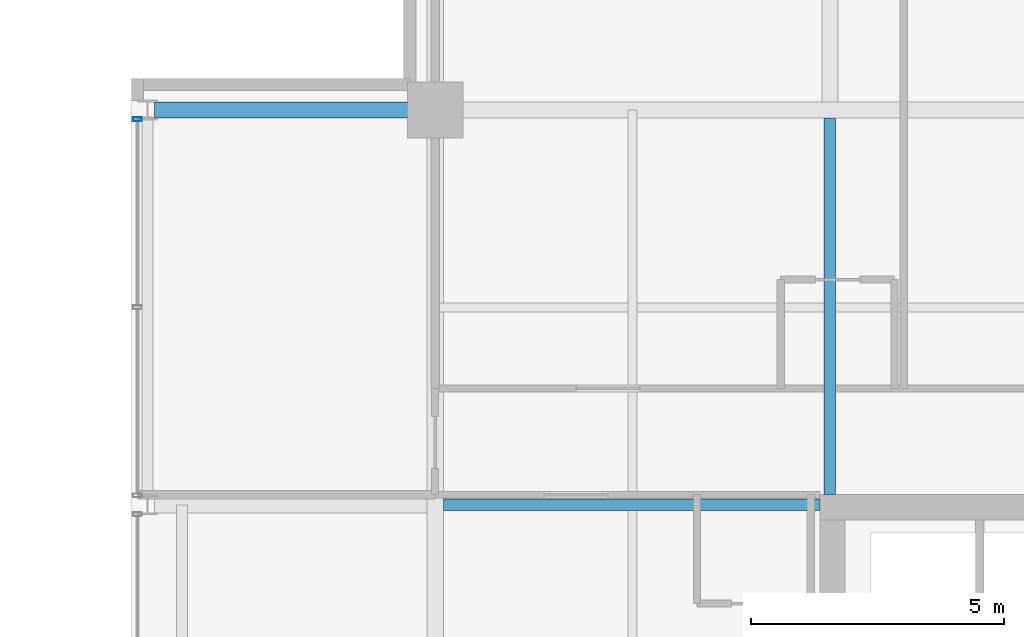
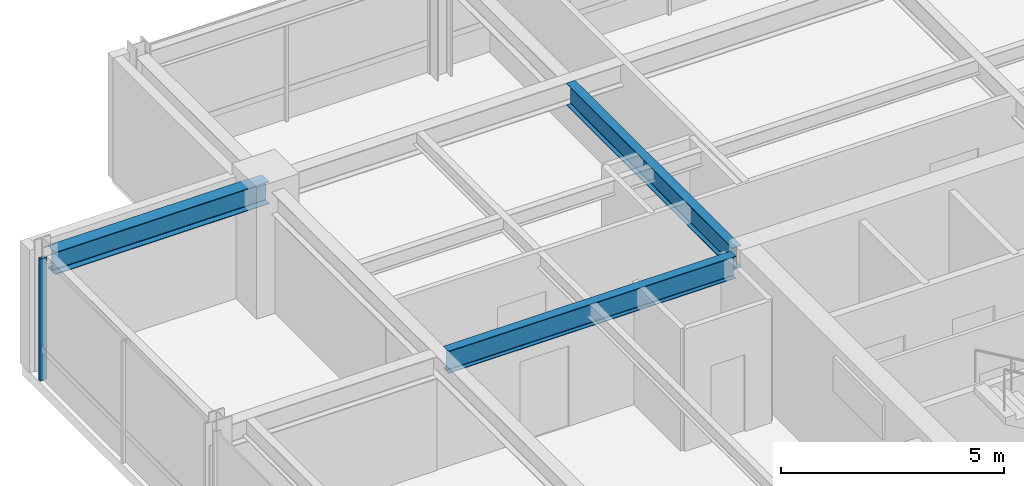
# One storey, part 18 of 31: 3 beams, 1 member, 1 element without a shape of its own.
"""IFC4 building model written with IfcOpenShell, lengths in metres."""

from ifc_helpers import new_model, si_unit, direction, frame, origin, origin_2d, place, context, subcontext, project, spatial, hollow_rectangle, i_section, extrude, material, layer, layer_set, material_profile, profile_set, type_object, element, aggregate, save


model = new_model("IFC4")

# Units and contexts
model_context = context("Model", 3, precision=1e-05, world=origin(), true_north=direction((0.0, 1.0)))
body_context = subcontext(model_context, "Body", "Model", "MODEL_VIEW")
ifc_project = project(units=[si_unit("LENGTHUNIT", "METRE"), si_unit("AREAUNIT", "SQUARE_METRE"), si_unit("VOLUMEUNIT", "CUBIC_METRE"), si_unit("PLANEANGLEUNIT", "RADIAN"), si_unit("MASSUNIT", "GRAM", prefix="KILO")], contexts=[model_context])

# Site, building, storey
site_placement = place(None, origin())
site = spatial("IfcSite", under=ifc_project, at=site_placement, CompositionType="ELEMENT")
building_placement = place(site_placement, origin())
building = spatial("IfcBuilding", under=site, at=building_placement, Name="Drelvath Grand Hotel", CompositionType="ELEMENT")
storey_placement = place(building_placement, frame((0.0, 0.0, 230.300048828125)))
storey = spatial("IfcBuildingStorey", under=building, at=storey_placement, Name="L60", CompositionType="ELEMENT", Elevation=230.300048828125)

# Curtain wall, member
ifc_material_1 = material(Name="Platinum-Mist Anodised Aluminium Frame", Category="aluminium")
ifc_layer = layer(ifc_material_1, 0.199951171875)
ifc_layer_set = layer_set([ifc_layer], Name="Platinum-Mist Anodised Aluminium Frame")
curtain_wall_type = type_object("IfcCurtainWallType", Name="Stick Curtain Wall CW-05 Platinum Mist High-Rise", PredefinedType="NOTDEFINED", material=ifc_layer_set)
curtain_wall_placement = place(storey_placement, origin())
curtain_wall = element("IfcCurtainWall", 1, at=curtain_wall_placement, inside=storey, type_object=curtain_wall_type, Name="L60 CW-05 Curtain Wall CW05-L60-WN2", PredefinedType="NOTDEFINED")
ifc_material_profile_1 = material_profile(ifc_material_1, hollow_rectangle(XDim=0.074951171875, YDim=0.179931640625, WallThickness=0.0048828125, at=origin_2d()), Name="HSS180X75X5")
ifc_profile_set_1 = profile_set([ifc_material_profile_1], Name="Platinum-Mist Anodised Aluminium Frame")
member_type = type_object("IfcMemberType", Name="Curtain Wall Vertical Mullion CW-05 HSS180X75X5", PredefinedType="MULLION", material=ifc_profile_set_1)
member_placement = place(storey_placement, frame((-22.080078125, 43.0146484375, 0.0), z_axis=(0.0, 0.0, 1.0), x_axis=(0.0, 1.0, 0.0)))
member = element("IfcMember", 2, at=member_placement, type_object=member_type, Name="CW05-L60-WN2 Mullion 3", PredefinedType="MULLION", context=body_context, shape_type="SweptSolid", body=[
    extrude(hollow_rectangle(XDim=0.074951171875, YDim=0.179931640625, WallThickness=0.0048828125, at=origin_2d()), origin(), (0.0, 0.0, 1.0), 3.33984375),
])
aggregate(curtain_wall, [member])

# Beams
ifc_material_2 = material(Name="Steel ASTM A992 Gr 50", Category="steel")
ifc_material_profile_2 = material_profile(ifc_material_2, i_section(OverallWidth=0.323974609375, OverallDepth=0.611083984375, WebThickness=0.0126953125, FlangeThickness=0.01904296875, FilletRadius=0.02197265625, at=origin_2d()), Name="W24X104")
ifc_profile_set_2 = profile_set([ifc_material_profile_2], Name="Steel ASTM A992 Gr 50")
beam_type_1 = type_object("IfcBeamType", Name="Primary Floor Girder W24X104", PredefinedType="BEAM", material=ifc_profile_set_2)
beam_placement = place(storey_placement, frame((-21.739990234375, 43.199951171875, 3.034423828125), z_axis=(1.0, 0.0, 0.0), x_axis=(0.0, 1.0, 0.0)))
element("IfcBeam", 3, at=beam_placement, inside=storey, type_object=beam_type_1, Name="L60 West Grid Girder G", PredefinedType="BEAM", context=body_context, shape_type="SweptSolid", body=[
    extrude(i_section(OverallWidth=0.323974609375, OverallDepth=0.611083984375, WebThickness=0.0126953125, FlangeThickness=0.01904296875, FilletRadius=0.02197265625, at=origin_2d()), origin(), (0.0, 0.0, 1.0), 5.5400390625),
])
ifc_material_profile_3 = material_profile(ifc_material_2, i_section(OverallWidth=0.228271484375, OverallDepth=0.607666015625, WebThickness=0.01123046875, FlangeThickness=0.017333984375, FilletRadius=0.02001953125, at=origin_2d()), Name="W24X76")
ifc_profile_set_3 = profile_set([ifc_material_profile_3], Name="Steel ASTM A992 Gr 50")
beam_type_2 = type_object("IfcBeamType", Name="Primary Floor Girder W24X76", PredefinedType="BEAM", material=ifc_profile_set_3)
for number, where, z_axis, x_axis, name in (
    (4, (-16.0380859375, 35.39990234375, 3.0361328125), (1.0, 0.0, 0.0), (0.0, 1.0, 0.0), "L60 West Core Tie F"),
    (5, (-8.39990234375, 35.60009765625, 3.0361328125), (0.0, 1.0, 0.0), (-1.0, 0.0, 0.0), "L60 North Core Tie 4"),
):
    element("IfcBeam", number, at=place(storey_placement, frame(where, z_axis=z_axis, x_axis=x_axis)), inside=storey, type_object=beam_type_2, Name=name, PredefinedType="BEAM", context=body_context, shape_type="SweptSolid", body=[
        extrude(i_section(OverallWidth=0.228271484375, OverallDepth=0.607666015625, WebThickness=0.01123046875, FlangeThickness=0.017333984375, FilletRadius=0.02001953125, at=origin_2d()), origin(), (0.0, 0.0, 1.0), 7.43798828125),
    ])

save(model, "model.ifc")
